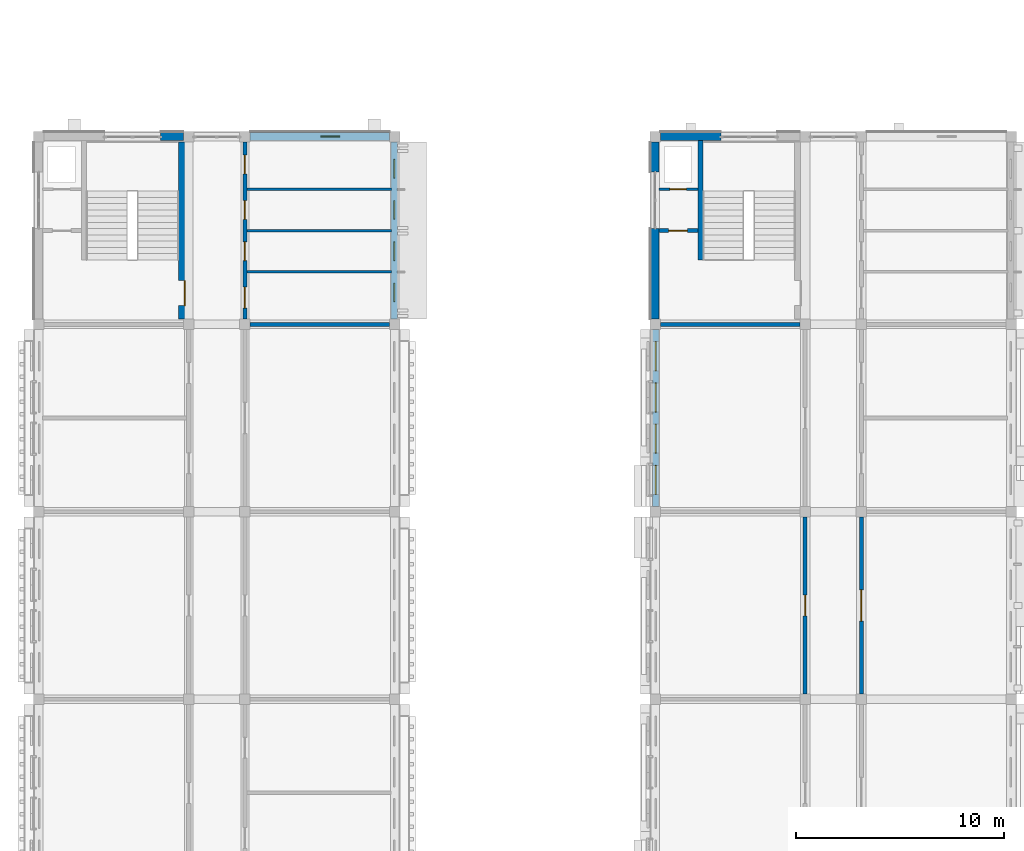
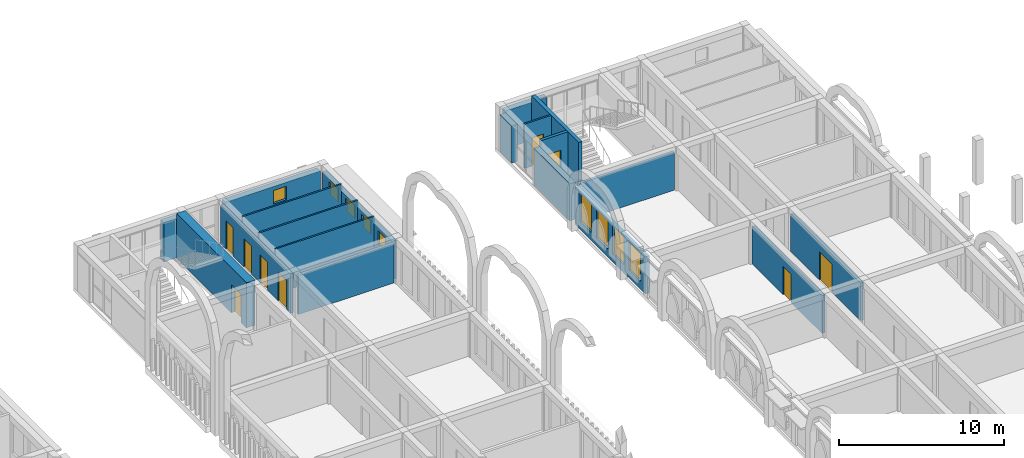
# One storey, part 58 of 82: 19 walls, 9 doors, 9 windows, 18 openings.
"""IFC4 building model written with IfcOpenShell, lengths in metres."""

from ifc_helpers import new_model, si_unit, direction, frame, frame_2d, origin, place, context, subcontext, project, spatial, rectangle, extrude, material, layer, layer_set, type_object, element, fill, save


model = new_model("IFC4")

# Units and contexts
model_context = context("Model", 3, precision=1e-05, world=origin(), true_north=direction((0.0, 1.0)))
body_context = subcontext(model_context, "Body", "Model", "MODEL_VIEW")
ifc_project = project(units=[si_unit("LENGTHUNIT", "METRE"), si_unit("AREAUNIT", "SQUARE_METRE"), si_unit("VOLUMEUNIT", "CUBIC_METRE"), si_unit("PLANEANGLEUNIT", "RADIAN"), si_unit("MASSUNIT", "GRAM", prefix="KILO")], contexts=[model_context])

# Site, building, storey
site_placement = place(None, origin())
site = spatial("IfcSite", under=ifc_project, at=site_placement, CompositionType="ELEMENT")
building_placement = place(site_placement, origin())
building = spatial("IfcBuilding", under=site, at=building_placement, Name="Elbe Cascade School", CompositionType="ELEMENT")
storey_placement = place(building_placement, frame((0.0, 0.0, 4.5)))
storey = spatial("IfcBuildingStorey", under=building, at=storey_placement, Name="L01", CompositionType="ELEMENT", Elevation=4.5)

# Wall, openings, doors
ifc_material_1 = material(Name="Masonry - lime-sand block, plastered", Category="masonry")
ifc_layer_1 = layer(ifc_material_1, 0.199951171875)
ifc_layer_set_1 = layer_set([ifc_layer_1], Name="Masonry - lime-sand block, plastered")
wall_type_1 = type_object("IfcWallType", Name="Bar corridor wall lime-sand block 200 EI 30", PredefinedType="PARTITIONING", material=ifc_layer_set_1)
wall_1_placement = place(storey_placement, frame((138.10009765625, 59.75, 0.0), z_axis=(0.0, 0.0, 1.0), x_axis=(0.0, -1.0, 0.0)))
wall_1 = element("IfcWall", 1, at=wall_1_placement, inside=storey, type_object=wall_type_1, Name="Bar corridor wall lime-sand block 200 EI 30", PredefinedType="PARTITIONING", context=body_context, shape_type="SweptSolid", body=[
    extrude(rectangle(XDim=8.5, YDim=0.199951171875, at=frame_2d((4.25, 0.0))), origin(), (0.0, 0.0, 1.0), 2.89990234375),
])
opening_1_placement = place(wall_1_placement, frame((6.96875, 0.0, 0.0)))
opening_1 = element("IfcOpeningElement", 2, at=opening_1_placement, cuts=wall_1, Name="Opening D1.076", PredefinedType="OPENING", context=body_context, shape_type="SweptSolid", body=[
    extrude(rectangle(XDim=1.0, YDim=2.10009765625, at=frame_2d((0.5, 1.050048828125))), frame((0.0, 0.10986328125, 0.0), z_axis=(0.0, -1.0, 0.0), x_axis=(1.0, 0.0, 0.0)), (0.0, 0.0, 1.0), 0.219970703125),
])
opening_2_placement = place(wall_1_placement, frame((4.7900390625, 0.0, 0.0)))
opening_2 = element("IfcOpeningElement", 3, at=opening_2_placement, cuts=wall_1, Name="Opening D1.078", PredefinedType="OPENING", context=body_context, shape_type="SweptSolid", body=[
    extrude(rectangle(XDim=0.89990234375, YDim=2.10009765625, at=frame_2d((0.449951171875, 1.050048828125))), frame((0.0, 0.10986328125, 0.0), z_axis=(0.0, -1.0, 0.0), x_axis=(1.0, 0.0, 0.0)), (0.0, 0.0, 1.0), 0.219970703125),
])
opening_3_placement = place(wall_1_placement, frame((2.81005859375, 0.0, 0.0)))
opening_3 = element("IfcOpeningElement", 4, at=opening_3_placement, cuts=wall_1, Name="Opening D1.080", PredefinedType="OPENING", context=body_context, shape_type="SweptSolid", body=[
    extrude(rectangle(XDim=0.89990234375, YDim=2.10009765625, at=frame_2d((0.449951171875, 1.050048828125))), frame((0.0, 0.10986328125, 0.0), z_axis=(0.0, -1.0, 0.0), x_axis=(1.0, 0.0, 0.0)), (0.0, 0.0, 1.0), 0.219970703125),
])
opening_4_placement = place(wall_1_placement, frame((0.62109375, 0.0, 0.0)))
opening_4 = element("IfcOpeningElement", 5, at=opening_4_placement, cuts=wall_1, Name="Opening D1.082", PredefinedType="OPENING", context=body_context, shape_type="SweptSolid", body=[
    extrude(rectangle(XDim=0.89990234375, YDim=2.10009765625, at=frame_2d((0.449951171875, 1.050048828125))), frame((0.0, 0.10986328125, 0.0), z_axis=(0.0, -1.0, 0.0), x_axis=(1.0, 0.0, 0.0)), (0.0, 0.0, 1.0), 0.219970703125),
])
ifc_material_2 = material(Name="Timber door leaf, fire-resisting, steel frame", Category="steel")
door_type_1 = type_object("IfcDoorType", Name="Bar door FD30 1000x2100", OperationType="NOTDEFINED", PredefinedType="DOOR", material=ifc_material_2)
door_1_placement = place(opening_1_placement, origin())
door_1 = element("IfcDoor", 6, at=door_1_placement, inside=storey, type_object=door_type_1, Name="Door C1.18", OperationType="SINGLE_SWING_LEFT", OverallHeight=2.10009765625, OverallWidth=1.0, PredefinedType="DOOR", context=body_context, shape_type="SweptSolid", body=[
    extrude(rectangle(XDim=1.0, YDim=2.10009765625, at=frame_2d((0.5, 1.050048828125))), frame((0.0, 0.02490234375, 0.0), z_axis=(0.0, -1.0, 0.0), x_axis=(1.0, 0.0, 0.0)), (0.0, 0.0, 1.0), 0.050048828125),
])
fill(opening_1, door_1)
ifc_material_3 = material(Name="Timber door leaf, fire-resisting, steel frame", Category="steel")
door_type_2 = type_object("IfcDoorType", Name="Bar door FD30 900x2100", OperationType="NOTDEFINED", PredefinedType="DOOR", material=ifc_material_3)
door_2_placement = place(opening_2_placement, origin())
door_2 = element("IfcDoor", 7, at=door_2_placement, inside=storey, type_object=door_type_2, Name="Door C1.17", OperationType="SINGLE_SWING_RIGHT", OverallHeight=2.10009765625, OverallWidth=0.89990234375, PredefinedType="DOOR", context=body_context, shape_type="SweptSolid", body=[
    extrude(rectangle(XDim=0.89990234375, YDim=2.10009765625, at=frame_2d((0.449951171875, 1.050048828125))), frame((0.0, 0.02490234375, 0.0), z_axis=(0.0, -1.0, 0.0), x_axis=(1.0, 0.0, 0.0)), (0.0, 0.0, 1.0), 0.050048828125),
])
fill(opening_2, door_2)
door_3_placement = place(opening_3_placement, origin())
door_3 = element("IfcDoor", 8, at=door_3_placement, inside=storey, type_object=door_type_2, Name="Door C1.16", OperationType="SINGLE_SWING_LEFT", OverallHeight=2.10009765625, OverallWidth=0.89990234375, PredefinedType="DOOR", context=body_context, shape_type="SweptSolid", body=[
    extrude(rectangle(XDim=0.89990234375, YDim=2.10009765625, at=frame_2d((0.449951171875, 1.050048828125))), frame((0.0, 0.02490234375, 0.0), z_axis=(0.0, -1.0, 0.0), x_axis=(1.0, 0.0, 0.0)), (0.0, 0.0, 1.0), 0.050048828125),
])
fill(opening_3, door_3)
door_4_placement = place(opening_4_placement, origin())
door_4 = element("IfcDoor", 9, at=door_4_placement, inside=storey, type_object=door_type_2, Name="Door C1.15", OperationType="SINGLE_SWING_RIGHT", OverallHeight=2.10009765625, OverallWidth=0.89990234375, PredefinedType="DOOR", context=body_context, shape_type="SweptSolid", body=[
    extrude(rectangle(XDim=0.89990234375, YDim=2.10009765625, at=frame_2d((0.449951171875, 1.050048828125))), frame((0.0, 0.02490234375, 0.0), z_axis=(0.0, -1.0, 0.0), x_axis=(1.0, 0.0, 0.0)), (0.0, 0.0, 1.0), 0.050048828125),
])
fill(opening_4, door_4)

# Wall, opening, door
wall_2_placement = place(storey_placement, frame((165.0, 33.25, 0.0), z_axis=(0.0, 0.0, 1.0), x_axis=(0.0, 1.0, 0.0)))
wall_2 = element("IfcWall", 10, at=wall_2_placement, inside=storey, type_object=wall_type_1, Name="Bar corridor wall lime-sand block 200 EI 30", PredefinedType="PARTITIONING", context=body_context, shape_type="SweptSolid", body=[
    extrude(rectangle(XDim=8.5, YDim=0.199951171875, at=frame_2d((4.25, 0.0))), origin(), (0.0, 0.0, 1.0), 2.800048828125),
])
opening_5_placement = place(wall_2_placement, frame((3.75, 0.0, 0.0)))
opening_5 = element("IfcOpeningElement", 11, at=opening_5_placement, cuts=wall_2, Name="Opening D1.097", PredefinedType="OPENING", context=body_context, shape_type="SweptSolid", body=[
    extrude(rectangle(XDim=1.0, YDim=2.10009765625, at=frame_2d((0.5, 1.050048828125))), frame((0.0, 0.10986328125, 0.0), z_axis=(0.0, -1.0, 0.0), x_axis=(1.0, 0.0, 0.0)), (0.0, 0.0, 1.0), 0.219970703125),
])
door_5_placement = place(opening_5_placement, origin())
door_5 = element("IfcDoor", 12, at=door_5_placement, inside=storey, type_object=door_type_1, Name="Door D1.21", OperationType="SINGLE_SWING_RIGHT", OverallHeight=2.10009765625, OverallWidth=1.0, PredefinedType="DOOR", context=body_context, shape_type="SweptSolid", body=[
    extrude(rectangle(XDim=1.0, YDim=2.10009765625, at=frame_2d((0.5, 1.050048828125))), frame((0.0, 0.02490234375, 0.0), z_axis=(0.0, -1.0, 0.0), x_axis=(1.0, 0.0, 0.0)), (0.0, 0.0, 1.0), 0.050048828125),
])
fill(opening_5, door_5)

wall_3_placement = place(storey_placement, frame((167.699951171875, 41.75, 0.0), z_axis=(0.0, 0.0, 1.0), x_axis=(0.0, -1.0, 0.0)))
wall_3 = element("IfcWall", 13, at=wall_3_placement, inside=storey, type_object=wall_type_1, Name="Bar corridor wall lime-sand block 200 EI 30", PredefinedType="PARTITIONING", context=body_context, shape_type="SweptSolid", body=[
    extrude(rectangle(XDim=8.5, YDim=0.199951171875, at=frame_2d((4.25, 0.0))), origin(), (0.0, 0.0, 1.0), 2.800048828125),
])
opening_6_placement = place(wall_3_placement, frame((3.5, 0.0, 0.0)))
opening_6 = element("IfcOpeningElement", 14, at=opening_6_placement, cuts=wall_3, Name="Opening D1.098", PredefinedType="OPENING", context=body_context, shape_type="SweptSolid", body=[
    extrude(rectangle(XDim=1.5, YDim=2.10009765625, at=frame_2d((0.75, 1.050048828125))), frame((0.0, 0.10986328125, 0.0), z_axis=(0.0, -1.0, 0.0), x_axis=(1.0, 0.0, 0.0)), (0.0, 0.0, 1.0), 0.219970703125),
])
ifc_material_4 = material(Name="Timber door leaves, fire-resisting, steel frame", Category="steel")
door_type_3 = type_object("IfcDoorType", Name="Bar door FD30 1500x2100", OperationType="NOTDEFINED", PredefinedType="DOOR", material=ifc_material_4)
door_6_placement = place(opening_6_placement, origin())
door_6 = element("IfcDoor", 15, at=door_6_placement, inside=storey, type_object=door_type_3, Name="Door D1.24b", OperationType="DOUBLE_DOOR_SINGLE_SWING", OverallHeight=2.10009765625, OverallWidth=1.5, PredefinedType="DOOR", context=body_context, shape_type="SweptSolid", body=[
    extrude(rectangle(XDim=1.5, YDim=2.10009765625, at=frame_2d((0.75, 1.050048828125))), frame((0.0, 0.02490234375, 0.0), z_axis=(0.0, -1.0, 0.0), x_axis=(1.0, 0.0, 0.0)), (0.0, 0.0, 1.0), 0.050048828125),
])
fill(opening_6, door_6)

# Walls
ifc_material_5 = material(Name="Masonry - lime-sand block, plastered", Category="masonry")
ifc_layer_2 = layer(ifc_material_5, 0.114990234375)
ifc_layer_set_2 = layer_set([ifc_layer_2], Name="Masonry - lime-sand block, plastered")
wall_type_2 = type_object("IfcWallType", Name="Bar light partition wall lime-sand block 115", PredefinedType="PARTITIONING", material=ifc_layer_set_2)
for number, where, z_axis, x_axis, name in (
    (16, (138.199951171875, 57.47998046875, 0.0), (0.0, 0.0, 1.0), (1.0, 0.0, 0.0), "Bar light partition wall lime-sand block 115"),
    (17, (138.199951171875, 55.5, 0.0), (0.0, 0.0, 1.0), (1.0, 0.0, 0.0), "Bar light partition wall lime-sand block 115"),
    (18, (138.199951171875, 53.52001953125, 0.0), (0.0, 0.0, 1.0), (1.0, 0.0, 0.0), "Bar light partition wall lime-sand block 115"),
):
    element("IfcWall", number, at=place(storey_placement, frame(where, z_axis=z_axis, x_axis=x_axis)), inside=storey, type_object=wall_type_2, Name=name, PredefinedType="PARTITIONING", context=body_context, shape_type="SweptSolid", body=[
        extrude(rectangle(XDim=6.949951171875, YDim=0.114990234375, at=frame_2d((3.47509765625, 0.0))), origin(), (0.0, 0.0, 1.0), 3.35009765625),
    ])

# Wall, opening, door
wall_4_placement = place(storey_placement, frame((157.97998046875, 57.47998046875, 0.0), z_axis=(0.0, 0.0, 1.0), x_axis=(1.0, 0.0, 0.0)))
wall_4 = element("IfcWall", 19, at=wall_4_placement, inside=storey, type_object=wall_type_2, Name="Bar light partition wall lime-sand block 115", PredefinedType="PARTITIONING", context=body_context, shape_type="SweptSolid", body=[
    extrude(rectangle(XDim=1.8701171875, YDim=0.114990234375, at=frame_2d((0.93505859375, 0.0))), origin(), (0.0, 0.0, 1.0), 3.300048828125),
])
opening_7_placement = place(wall_4_placement, frame((0.52001953125, 0.0, 0.0)))
opening_7 = element("IfcOpeningElement", 20, at=opening_7_placement, cuts=wall_4, Name="Opening D1.107", PredefinedType="OPENING", context=body_context, shape_type="SweptSolid", body=[
    extrude(rectangle(XDim=0.800048828125, YDim=2.10009765625, at=frame_2d((0.39990234375, 1.050048828125))), frame((0.0, 0.0673828125, 0.0), z_axis=(0.0, -1.0, 0.0), x_axis=(1.0, 0.0, 0.0)), (0.0, 0.0, 1.0), 0.135009765625),
])
ifc_material_6 = material(Name="Timber door leaf, steel frame", Category="steel")
door_type_4 = type_object("IfcDoorType", Name="Bar door 800x2100", OperationType="NOTDEFINED", PredefinedType="DOOR", material=ifc_material_6)
door_7_placement = place(opening_7_placement, origin())
door_7 = element("IfcDoor", 21, at=door_7_placement, inside=storey, type_object=door_type_4, Name="Door D1.14", OperationType="SINGLE_SWING_LEFT", OverallHeight=2.10009765625, OverallWidth=0.800048828125, PredefinedType="DOOR", context=body_context, shape_type="SweptSolid", body=[
    extrude(rectangle(XDim=0.800048828125, YDim=2.10009765625, at=frame_2d((0.39990234375, 1.050048828125))), frame((0.0, 0.02490234375, 0.0), z_axis=(0.0, -1.0, 0.0), x_axis=(1.0, 0.0, 0.0)), (0.0, 0.0, 1.0), 0.050048828125),
])
fill(opening_7, door_7)

# Walls
ifc_material_7 = material(Name="Masonry - lime-sand block, plastered", Category="masonry")
ifc_layer_3 = layer(ifc_material_7, 0.199951171875)
ifc_layer_set_3 = layer_set([ifc_layer_3], Name="Masonry - lime-sand block, plastered")
wall_type_3 = type_object("IfcWallType", Name="Bar partition wall lime-sand block 200", PredefinedType="PARTITIONING", material=ifc_layer_set_3)
wall_5_placement = place(storey_placement, frame((138.35009765625, 51.0, 0.0), z_axis=(0.0, 0.0, 1.0), x_axis=(1.0, 0.0, 0.0)))
element("IfcWall", 22, at=wall_5_placement, inside=storey, type_object=wall_type_3, Name="Bar partition wall lime-sand block 200", PredefinedType="PARTITIONING", context=body_context, shape_type="SweptSolid", body=[
    extrude(rectangle(XDim=6.699951171875, YDim=0.199951171875, at=frame_2d((3.35009765625, 0.0))), origin(), (0.0, 0.0, 1.0), 2.89990234375),
])
ifc_material_8 = material(Name="Concrete C30/37", Category="concrete")
ifc_layer_4 = layer(ifc_material_8, 0.25)
ifc_layer_set_4 = layer_set([ifc_layer_4], Name="Concrete C30/37")
wall_type_4 = type_object("IfcWallType", Name="Bar stair core wall RC 250", PredefinedType="SOLIDWALL", material=ifc_layer_set_4)
wall_6_placement = place(storey_placement, frame((159.97509765625, 54.10009765625, 0.0), z_axis=(0.0, 0.0, 1.0), x_axis=(0.0, 1.0, 0.0)))
element("IfcWall", 23, at=wall_6_placement, inside=storey, type_object=wall_type_4, Name="Bar stair core wall RC 250", PredefinedType="SOLIDWALL", context=body_context, shape_type="SweptSolid", body=[
    extrude(rectangle(XDim=5.719970703125, YDim=0.25, at=frame_2d((2.85986328125, 0.0))), origin(), (0.0, 0.0, 1.0), 3.300048828125),
])

# Wall, opening, door
ifc_material_9 = material(Name="Concrete C30/37", Category="concrete")
ifc_layer_5 = layer(ifc_material_9, 0.60009765625)
ifc_layer_set_5 = layer_set([ifc_layer_5], Name="Concrete C30/37")
wall_type_5 = type_object("IfcWallType", Name="Bar stair core wall RC 600", PredefinedType="SOLIDWALL", material=ifc_layer_set_5)
wall_7_placement = place(storey_placement, frame((135.199951171875, 51.25, 0.0), z_axis=(0.0, 0.0, 1.0), x_axis=(0.0, 1.0, 0.0)))
wall_7 = element("IfcWall", 24, at=wall_7_placement, inside=storey, type_object=wall_type_5, Name="Bar stair core wall RC 600", PredefinedType="SOLIDWALL", context=body_context, shape_type="SweptSolid", body=[
    extrude(rectangle(XDim=8.5, YDim=0.60009765625, at=frame_2d((4.25, 0.0))), origin(), (0.0, 0.0, 1.0), 3.35009765625),
])
opening_8_placement = place(wall_7_placement, frame((0.64990234375, 0.0, 0.0)))
opening_8 = element("IfcOpeningElement", 25, at=opening_8_placement, cuts=wall_7, Name="Opening D1.077", PredefinedType="OPENING", context=body_context, shape_type="SweptSolid", body=[
    extrude(rectangle(XDim=1.199951171875, YDim=2.10009765625, at=frame_2d((0.60009765625, 1.050048828125))), frame((0.0, 0.31005859375, 0.0), z_axis=(0.0, -1.0, 0.0), x_axis=(1.0, 0.0, 0.0)), (0.0, 0.0, 1.0), 0.6201171875),
])
ifc_material_10 = material(Name="Timber door leaf, fire-resisting and smoke-tight, steel frame", Category="steel")
door_type_5 = type_object("IfcDoorType", Name="Bar door FD30S 1200x2100", OperationType="NOTDEFINED", PredefinedType="DOOR", material=ifc_material_10)
door_8_placement = place(opening_8_placement, origin())
door_8 = element("IfcDoor", 26, at=door_8_placement, inside=storey, type_object=door_type_5, Name="Door C1.12", OperationType="SINGLE_SWING_RIGHT", OverallHeight=2.10009765625, OverallWidth=1.199951171875, PredefinedType="DOOR", context=body_context, shape_type="SweptSolid", body=[
    extrude(rectangle(XDim=1.199951171875, YDim=2.10009765625, at=frame_2d((0.60009765625, 1.050048828125))), frame((0.0, 0.02490234375, 0.0), z_axis=(0.0, -1.0, 0.0), x_axis=(1.0, 0.0, 0.0)), (0.0, 0.0, 1.0), 0.050048828125),
])
fill(opening_8, door_8)

ifc_material_11 = material(Name="Concrete C30/37", Category="concrete")
ifc_layer_6 = layer(ifc_material_11, 0.199951171875)
ifc_layer_set_6 = layer_set([ifc_layer_6], Name="Concrete C30/37")
wall_type_6 = type_object("IfcWallType", Name="Bar stair lobby wall RC 200", PredefinedType="SOLIDWALL", material=ifc_layer_set_6)
wall_8_placement = place(storey_placement, frame((157.97998046875, 55.5, 0.0), z_axis=(0.0, 0.0, 1.0), x_axis=(1.0, 0.0, 0.0)))
wall_8 = element("IfcWall", 27, at=wall_8_placement, inside=storey, type_object=wall_type_6, Name="Bar stair lobby wall RC 200", PredefinedType="SOLIDWALL", context=body_context, shape_type="SweptSolid", body=[
    extrude(rectangle(XDim=1.8701171875, YDim=0.199951171875, at=frame_2d((0.93505859375, 0.0))), origin(), (0.0, 0.0, 1.0), 3.300048828125),
])
opening_9_placement = place(wall_8_placement, frame((0.469970703125, 0.0, 0.0)))
opening_9 = element("IfcOpeningElement", 28, at=opening_9_placement, cuts=wall_8, Name="Opening D1.105", PredefinedType="OPENING", context=body_context, shape_type="SweptSolid", body=[
    extrude(rectangle(XDim=0.89990234375, YDim=2.10009765625, at=frame_2d((0.449951171875, 1.050048828125))), frame((0.0, 0.10986328125, 0.0), z_axis=(0.0, -1.0, 0.0), x_axis=(1.0, 0.0, 0.0)), (0.0, 0.0, 1.0), 0.219970703125),
])
ifc_material_12 = material(Name="Timber door leaf, fire-resisting and smoke-tight, steel frame", Category="steel")
door_type_6 = type_object("IfcDoorType", Name="Bar door FD30S 900x2100", OperationType="NOTDEFINED", PredefinedType="DOOR", material=ifc_material_12)
door_9_placement = place(opening_9_placement, origin())
door_9 = element("IfcDoor", 29, at=door_9_placement, inside=storey, type_object=door_type_6, Name="Door D1.13", OperationType="SINGLE_SWING_RIGHT", OverallHeight=2.10009765625, OverallWidth=0.89990234375, PredefinedType="DOOR", context=body_context, shape_type="SweptSolid", body=[
    extrude(rectangle(XDim=0.89990234375, YDim=2.10009765625, at=frame_2d((0.449951171875, 1.050048828125))), frame((0.0, 0.02490234375, 0.0), z_axis=(0.0, -1.0, 0.0), x_axis=(1.0, 0.0, 0.0)), (0.0, 0.0, 1.0), 0.050048828125),
])
fill(opening_9, door_9)

# Wall
wall_9_placement = place(storey_placement, frame((158.050048828125, 51.0, 0.0), z_axis=(0.0, 0.0, 1.0), x_axis=(1.0, 0.0, 0.0)))
element("IfcWall", 30, at=wall_9_placement, inside=storey, type_object=wall_type_6, Name="Bar stair lobby wall RC 200", PredefinedType="SOLIDWALL", context=body_context, shape_type="SweptSolid", body=[
    extrude(rectangle(XDim=6.699951171875, YDim=0.199951171875, at=frame_2d((3.35009765625, 0.0))), origin(), (0.0, 0.0, 1.0), 2.800048828125),
])

# Wall, openings, windows
ifc_material_13 = material(Name="Brick masonry - red clinker, cavity wall with render backing", Category="masonry")
ifc_layer_7 = layer(ifc_material_13, 0.300048828125)
ifc_layer_set_7 = layer_set([ifc_layer_7], Name="Brick masonry - red clinker, cavity wall with render backing")
wall_type_7 = type_object("IfcWallType", Name="Bars envelope External wall - clinker brick cavity, 300 upper floors", PredefinedType="STANDARD", material=ifc_layer_set_7)
wall_10_placement = place(storey_placement, frame((145.27001953125, 59.75, 0.0), z_axis=(0.0, 0.0, 1.0), x_axis=(0.0, -1.0, 0.0)))
wall_10 = element("IfcWall", 31, at=wall_10_placement, inside=storey, type_object=wall_type_7, Name="External wall W30 C.L01.e6", PredefinedType="STANDARD", context=body_context, shape_type="SweptSolid", body=[
    extrude(rectangle(XDim=8.5, YDim=0.300048828125, at=frame_2d((4.25, 0.0))), origin(), (0.0, 0.0, 1.0), 2.85009765625),
])
opening_10_placement = place(wall_10_placement, frame((6.77001953125, 0.0, 1.60009765625)))
opening_10 = element("IfcOpeningElement", 32, at=opening_10_placement, cuts=wall_10, Name="Opening W1.098", PredefinedType="OPENING", context=body_context, shape_type="SweptSolid", body=[
    extrude(rectangle(XDim=0.89990234375, YDim=1.0, at=frame_2d((0.449951171875, 0.5))), frame((0.0, 0.159912109375, 0.0), z_axis=(0.0, -1.0, 0.0), x_axis=(1.0, 0.0, 0.0)), (0.0, 0.0, 1.0), 0.320068359375),
])
opening_11_placement = place(wall_10_placement, frame((4.7900390625, 0.0, 1.60009765625)))
opening_11 = element("IfcOpeningElement", 33, at=opening_11_placement, cuts=wall_10, Name="Opening W1.099", PredefinedType="OPENING", context=body_context, shape_type="SweptSolid", body=[
    extrude(rectangle(XDim=0.89990234375, YDim=1.0, at=frame_2d((0.449951171875, 0.5))), frame((0.0, 0.159912109375, 0.0), z_axis=(0.0, -1.0, 0.0), x_axis=(1.0, 0.0, 0.0)), (0.0, 0.0, 1.0), 0.320068359375),
])
opening_12_placement = place(wall_10_placement, frame((2.81005859375, 0.0, 1.60009765625)))
opening_12 = element("IfcOpeningElement", 34, at=opening_12_placement, cuts=wall_10, Name="Opening W1.100", PredefinedType="OPENING", context=body_context, shape_type="SweptSolid", body=[
    extrude(rectangle(XDim=0.89990234375, YDim=1.0, at=frame_2d((0.449951171875, 0.5))), frame((0.0, 0.159912109375, 0.0), z_axis=(0.0, -1.0, 0.0), x_axis=(1.0, 0.0, 0.0)), (0.0, 0.0, 1.0), 0.320068359375),
])
opening_13_placement = place(wall_10_placement, frame((0.830078125, 0.0, 1.60009765625)))
opening_13 = element("IfcOpeningElement", 35, at=opening_13_placement, cuts=wall_10, Name="Opening W1.101", PredefinedType="OPENING", context=body_context, shape_type="SweptSolid", body=[
    extrude(rectangle(XDim=0.89990234375, YDim=1.0, at=frame_2d((0.449951171875, 0.5))), frame((0.0, 0.159912109375, 0.0), z_axis=(0.0, -1.0, 0.0), x_axis=(1.0, 0.0, 0.0)), (0.0, 0.0, 1.0), 0.320068359375),
])
ifc_material_14 = material(Name="Aluminium frame with double glazing, bronze anodised", Category="aluminium")
window_type_1 = type_object("IfcWindowType", Name="Bars envelope Window 900 x 1000, WC and service room, high level, aluminium double glazed", PartitioningType="SINGLE_PANEL", PredefinedType="WINDOW", material=ifc_material_14)
window_1_placement = place(opening_10_placement, origin())
window_1 = element("IfcWindow", 36, at=window_1_placement, inside=storey, type_object=window_type_1, Name="Window WN4 C.L01.e6.1", OverallHeight=1.0, OverallWidth=0.89990234375, PartitioningType="SINGLE_PANEL", PredefinedType="WINDOW", context=body_context, shape_type="SweptSolid", body=[
    extrude(rectangle(XDim=0.89990234375, YDim=1.0, at=frame_2d((0.449951171875, 0.5))), frame((0.0, 0.030029296875, 0.0), z_axis=(0.0, -1.0, 0.0), x_axis=(1.0, 0.0, 0.0)), (0.0, 0.0, 1.0), 0.06005859375),
])
fill(opening_10, window_1)
window_2_placement = place(opening_11_placement, origin())
window_2 = element("IfcWindow", 37, at=window_2_placement, inside=storey, type_object=window_type_1, Name="Window WN4 C.L01.e6.2", OverallHeight=1.0, OverallWidth=0.89990234375, PartitioningType="SINGLE_PANEL", PredefinedType="WINDOW", context=body_context, shape_type="SweptSolid", body=[
    extrude(rectangle(XDim=0.89990234375, YDim=1.0, at=frame_2d((0.449951171875, 0.5))), frame((0.0, 0.030029296875, 0.0), z_axis=(0.0, -1.0, 0.0), x_axis=(1.0, 0.0, 0.0)), (0.0, 0.0, 1.0), 0.06005859375),
])
fill(opening_11, window_2)
window_3_placement = place(opening_12_placement, origin())
window_3 = element("IfcWindow", 38, at=window_3_placement, inside=storey, type_object=window_type_1, Name="Window WN4 C.L01.e6.3", OverallHeight=1.0, OverallWidth=0.89990234375, PartitioningType="SINGLE_PANEL", PredefinedType="WINDOW", context=body_context, shape_type="SweptSolid", body=[
    extrude(rectangle(XDim=0.89990234375, YDim=1.0, at=frame_2d((0.449951171875, 0.5))), frame((0.0, 0.030029296875, 0.0), z_axis=(0.0, -1.0, 0.0), x_axis=(1.0, 0.0, 0.0)), (0.0, 0.0, 1.0), 0.06005859375),
])
fill(opening_12, window_3)
window_4_placement = place(opening_13_placement, origin())
window_4 = element("IfcWindow", 39, at=window_4_placement, inside=storey, type_object=window_type_1, Name="Window WN4 C.L01.e6.4", OverallHeight=1.0, OverallWidth=0.89990234375, PartitioningType="SINGLE_PANEL", PredefinedType="WINDOW", context=body_context, shape_type="SweptSolid", body=[
    extrude(rectangle(XDim=0.89990234375, YDim=1.0, at=frame_2d((0.449951171875, 0.5))), frame((0.0, 0.030029296875, 0.0), z_axis=(0.0, -1.0, 0.0), x_axis=(1.0, 0.0, 0.0)), (0.0, 0.0, 1.0), 0.06005859375),
])
fill(opening_13, window_4)

wall_11_placement = place(storey_placement, frame((157.830078125, 42.25, 0.0), z_axis=(0.0, 0.0, 1.0), x_axis=(0.0, 1.0, 0.0)))
wall_11 = element("IfcWall", 40, at=wall_11_placement, inside=storey, type_object=wall_type_7, Name="External wall W30 D.L01.w5", PredefinedType="STANDARD", context=body_context, shape_type="SweptSolid", body=[
    extrude(rectangle(XDim=8.5, YDim=0.300048828125, at=frame_2d((4.25, 0.0))), origin(), (0.0, 0.0, 1.0), 2.75),
])
opening_14_placement = place(wall_11_placement, frame((0.580078125, 0.0, 0.60009765625)))
opening_14 = element("IfcOpeningElement", 41, at=opening_14_placement, cuts=wall_11, Name="Opening W1.130", PredefinedType="OPENING", context=body_context, shape_type="SweptSolid", body=[
    extrude(rectangle(XDim=1.39990234375, YDim=2.10009765625, at=frame_2d((0.699951171875, 1.050048828125))), frame((0.0, 0.159912109375, 0.0), z_axis=(0.0, -1.0, 0.0), x_axis=(1.0, 0.0, 0.0)), (0.0, 0.0, 1.0), 0.320068359375),
])
opening_15_placement = place(wall_11_placement, frame((2.56005859375, 0.0, 0.60009765625)))
opening_15 = element("IfcOpeningElement", 42, at=opening_15_placement, cuts=wall_11, Name="Opening W1.132", PredefinedType="OPENING", context=body_context, shape_type="SweptSolid", body=[
    extrude(rectangle(XDim=1.39990234375, YDim=2.10009765625, at=frame_2d((0.699951171875, 1.050048828125))), frame((0.0, 0.159912109375, 0.0), z_axis=(0.0, -1.0, 0.0), x_axis=(1.0, 0.0, 0.0)), (0.0, 0.0, 1.0), 0.320068359375),
])
opening_16_placement = place(wall_11_placement, frame((4.5400390625, 0.0, 0.60009765625)))
opening_16 = element("IfcOpeningElement", 43, at=opening_16_placement, cuts=wall_11, Name="Opening W1.134", PredefinedType="OPENING", context=body_context, shape_type="SweptSolid", body=[
    extrude(rectangle(XDim=1.39990234375, YDim=2.10009765625, at=frame_2d((0.699951171875, 1.050048828125))), frame((0.0, 0.159912109375, 0.0), z_axis=(0.0, -1.0, 0.0), x_axis=(1.0, 0.0, 0.0)), (0.0, 0.0, 1.0), 0.320068359375),
])
opening_17_placement = place(wall_11_placement, frame((6.52001953125, 0.0, 0.60009765625)))
opening_17 = element("IfcOpeningElement", 44, at=opening_17_placement, cuts=wall_11, Name="Opening W1.136", PredefinedType="OPENING", context=body_context, shape_type="SweptSolid", body=[
    extrude(rectangle(XDim=1.39990234375, YDim=2.10009765625, at=frame_2d((0.699951171875, 1.050048828125))), frame((0.0, 0.159912109375, 0.0), z_axis=(0.0, -1.0, 0.0), x_axis=(1.0, 0.0, 0.0)), (0.0, 0.0, 1.0), 0.320068359375),
])
ifc_material_15 = material(Name="Aluminium frame with double glazing, bronze anodised", Category="aluminium")
window_type_2 = type_object("IfcWindowType", Name="Bars envelope Window 1400 x 2100, classroom, aluminium double glazed", PartitioningType="DOUBLE_PANEL_VERTICAL", PredefinedType="WINDOW", material=ifc_material_15)
window_5_placement = place(opening_14_placement, origin())
window_5 = element("IfcWindow", 45, at=window_5_placement, inside=storey, type_object=window_type_2, Name="Window WN8 D.L01.w5.1", OverallHeight=2.10009765625, OverallWidth=1.39990234375, PartitioningType="DOUBLE_PANEL_VERTICAL", PredefinedType="WINDOW", context=body_context, shape_type="SweptSolid", body=[
    extrude(rectangle(XDim=1.39990234375, YDim=2.10009765625, at=frame_2d((0.699951171875, 1.050048828125))), frame((0.0, 0.030029296875, 0.0), z_axis=(0.0, -1.0, 0.0), x_axis=(1.0, 0.0, 0.0)), (0.0, 0.0, 1.0), 0.06005859375),
])
fill(opening_14, window_5)
window_6_placement = place(opening_15_placement, origin())
window_6 = element("IfcWindow", 46, at=window_6_placement, inside=storey, type_object=window_type_2, Name="Window WN8 D.L01.w5.2", OverallHeight=2.10009765625, OverallWidth=1.39990234375, PartitioningType="DOUBLE_PANEL_VERTICAL", PredefinedType="WINDOW", context=body_context, shape_type="SweptSolid", body=[
    extrude(rectangle(XDim=1.39990234375, YDim=2.10009765625, at=frame_2d((0.699951171875, 1.050048828125))), frame((0.0, 0.030029296875, 0.0), z_axis=(0.0, -1.0, 0.0), x_axis=(1.0, 0.0, 0.0)), (0.0, 0.0, 1.0), 0.06005859375),
])
fill(opening_15, window_6)
window_7_placement = place(opening_16_placement, origin())
window_7 = element("IfcWindow", 47, at=window_7_placement, inside=storey, type_object=window_type_2, Name="Window WN8 D.L01.w5.3", OverallHeight=2.10009765625, OverallWidth=1.39990234375, PartitioningType="DOUBLE_PANEL_VERTICAL", PredefinedType="WINDOW", context=body_context, shape_type="SweptSolid", body=[
    extrude(rectangle(XDim=1.39990234375, YDim=2.10009765625, at=frame_2d((0.699951171875, 1.050048828125))), frame((0.0, 0.030029296875, 0.0), z_axis=(0.0, -1.0, 0.0), x_axis=(1.0, 0.0, 0.0)), (0.0, 0.0, 1.0), 0.06005859375),
])
fill(opening_16, window_7)
window_8_placement = place(opening_17_placement, origin())
window_8 = element("IfcWindow", 48, at=window_8_placement, inside=storey, type_object=window_type_2, Name="Window WN8 D.L01.w5.4", OverallHeight=2.10009765625, OverallWidth=1.39990234375, PartitioningType="DOUBLE_PANEL_VERTICAL", PredefinedType="WINDOW", context=body_context, shape_type="SweptSolid", body=[
    extrude(rectangle(XDim=1.39990234375, YDim=2.10009765625, at=frame_2d((0.699951171875, 1.050048828125))), frame((0.0, 0.030029296875, 0.0), z_axis=(0.0, -1.0, 0.0), x_axis=(1.0, 0.0, 0.0)), (0.0, 0.0, 1.0), 0.06005859375),
])
fill(opening_17, window_8)

# Wall
ifc_material_16 = material(Name="Brick masonry - red clinker, solid, sandstone-faced", Category="masonry")
ifc_layer_8 = layer(ifc_material_16, 0.39990234375)
ifc_layer_set_8 = layer_set([ifc_layer_8], Name="Brick masonry - red clinker, solid, sandstone-faced")
wall_type_8 = type_object("IfcWallType", Name="Bars envelope External wall - solid masonry core strip, sandstone faced, 400", PredefinedType="STANDARD", material=ifc_layer_set_8)
wall_12_placement = place(storey_placement, frame((134.050048828125, 60.02001953125, 0.0), z_axis=(0.0, 0.0, 1.0), x_axis=(1.0, 0.0, 0.0)))
element("IfcWall", 49, at=wall_12_placement, inside=storey, type_object=wall_type_8, Name="External wall W31 C.L01.n1b", PredefinedType="STANDARD", context=body_context, shape_type="SweptSolid", body=[
    extrude(rectangle(XDim=1.099853515625, YDim=0.39990234375, at=frame_2d((0.5498046875, 0.0))), origin(), (0.0, 0.0, 1.0), 2.89990234375),
])

# Wall, opening, window
wall_13_placement = place(storey_placement, frame((138.35009765625, 60.02001953125, 0.0), z_axis=(0.0, 0.0, 1.0), x_axis=(1.0, 0.0, 0.0)))
wall_13 = element("IfcWall", 50, at=wall_13_placement, inside=storey, type_object=wall_type_8, Name="External wall W31 C.L01.n3", PredefinedType="STANDARD", context=body_context, shape_type="SweptSolid", body=[
    extrude(rectangle(XDim=6.699951171875, YDim=0.39990234375, at=frame_2d((3.35009765625, 0.0))), origin(), (0.0, 0.0, 1.0), 2.89990234375),
])
opening_18_placement = place(wall_13_placement, frame((3.39990234375, 0.0, 1.60009765625)))
opening_18 = element("IfcOpeningElement", 51, at=opening_18_placement, cuts=wall_13, Name="Opening W1.102", PredefinedType="OPENING", context=body_context, shape_type="SweptSolid", body=[
    extrude(rectangle(XDim=0.89990234375, YDim=1.0, at=frame_2d((0.449951171875, 0.5))), frame((0.0, 0.2099609375, 0.0), z_axis=(0.0, -1.0, 0.0), x_axis=(1.0, 0.0, 0.0)), (0.0, 0.0, 1.0), 0.419921875),
])
window_9_placement = place(opening_18_placement, origin())
window_9 = element("IfcWindow", 52, at=window_9_placement, inside=storey, type_object=window_type_1, Name="Window WN4 C.L01.n3.1", OverallHeight=1.0, OverallWidth=0.89990234375, PartitioningType="SINGLE_PANEL", PredefinedType="WINDOW", context=body_context, shape_type="SweptSolid", body=[
    extrude(rectangle(XDim=0.89990234375, YDim=1.0, at=frame_2d((0.449951171875, 0.5))), frame((0.0, 0.030029296875, 0.0), z_axis=(0.0, -1.0, 0.0), x_axis=(1.0, 0.0, 0.0)), (0.0, 0.0, 1.0), 0.06005859375),
])
fill(opening_18, window_9)

# Walls
wall_14_placement = place(storey_placement, frame((157.780029296875, 51.25, 0.0), z_axis=(0.0, 0.0, 1.0), x_axis=(0.0, 1.0, 0.0)))
element("IfcWall", 53, at=wall_14_placement, inside=storey, type_object=wall_type_8, Name="External wall W31 D.L01.w6a", PredefinedType="STANDARD", context=body_context, shape_type="SweptSolid", body=[
    extrude(rectangle(XDim=4.360107421875, YDim=0.39990234375, at=frame_2d((2.18017578125, 0.0))), origin(), (0.0, 0.0, 1.0), 2.75),
])
wall_15_placement = place(storey_placement, frame((157.780029296875, 58.31005859375, 0.0), z_axis=(0.0, 0.0, 1.0), x_axis=(0.0, 1.0, 0.0)))
element("IfcWall", 54, at=wall_15_placement, inside=storey, type_object=wall_type_8, Name="External wall W31 D.L01.w6b", PredefinedType="STANDARD", context=body_context, shape_type="SweptSolid", body=[
    extrude(rectangle(XDim=1.43994140625, YDim=0.39990234375, at=frame_2d((0.719970703125, 0.0))), origin(), (0.0, 0.0, 1.0), 2.75),
])
wall_16_placement = place(storey_placement, frame((158.050048828125, 60.02001953125, 0.0), z_axis=(0.0, 0.0, 1.0), x_axis=(1.0, 0.0, 0.0)))
element("IfcWall", 55, at=wall_16_placement, inside=storey, type_object=wall_type_8, Name="External wall W31 D.L01.n1a", PredefinedType="STANDARD", context=body_context, shape_type="SweptSolid", body=[
    extrude(rectangle(XDim=2.89990234375, YDim=0.39990234375, at=frame_2d((1.449951171875, 0.0))), origin(), (0.0, 0.0, 1.0), 2.800048828125),
])

save(model, "model.ifc")
